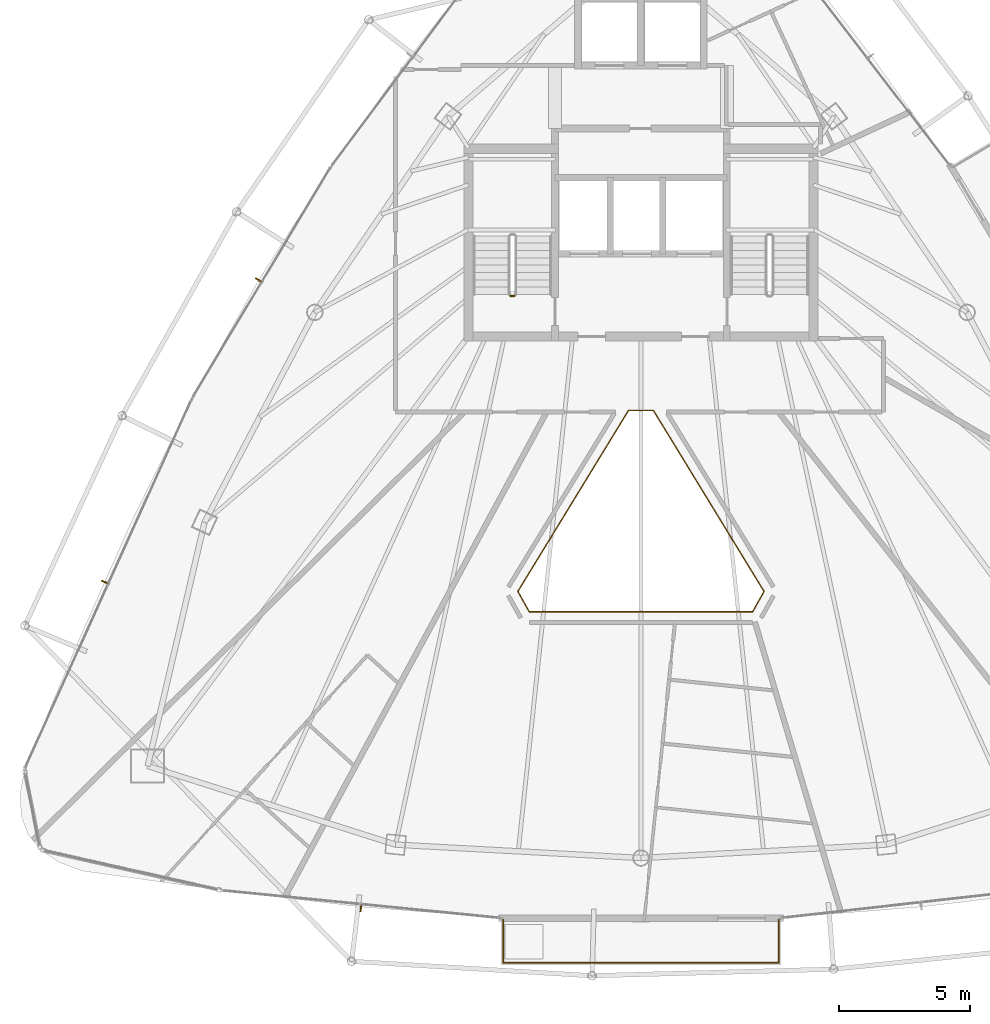
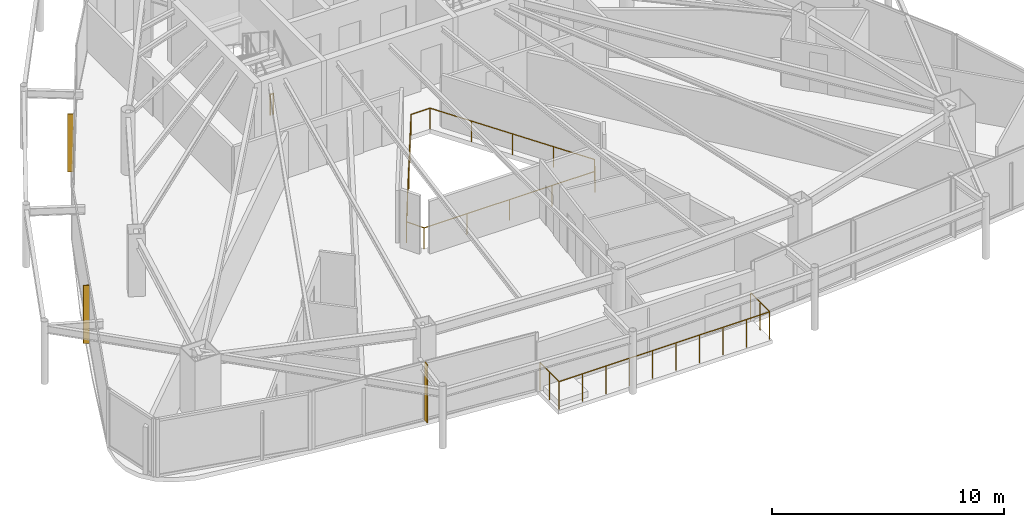
# One storey, part 31 of 33: 3 railings, 3 shading devices.
"""IFC4 building model written with IfcOpenShell, lengths in metres."""

from ifc_helpers import new_model, si_unit, direction, frame, origin, origin_2d, place, context, subcontext, project, spatial, rectangle, circle, extrude, material, layer, layer_set, type_object, element, save


model = new_model("IFC4")

# Units and contexts
model_context = context("Model", 3, precision=1e-05, world=origin(), true_north=direction((0.0, 1.0)))
body_context = subcontext(model_context, "Body", "Model", "MODEL_VIEW")
ifc_project = project(units=[si_unit("LENGTHUNIT", "METRE"), si_unit("AREAUNIT", "SQUARE_METRE"), si_unit("VOLUMEUNIT", "CUBIC_METRE"), si_unit("PLANEANGLEUNIT", "RADIAN"), si_unit("MASSUNIT", "GRAM", prefix="KILO")], contexts=[model_context])

# Site, building, storey
site_placement = place(None, origin())
site = spatial("IfcSite", under=ifc_project, at=site_placement, CompositionType="ELEMENT")
building_placement = place(site_placement, origin())
building = spatial("IfcBuilding", under=site, at=building_placement, Name="Orvanel Arch Residences", CompositionType="ELEMENT")
storey_placement = place(building_placement, frame((0.0, 0.0, 196.39990234375)))
storey = spatial("IfcBuildingStorey", under=building, at=storey_placement, Name="L55", CompositionType="ELEMENT", Elevation=196.39990234375)

# Shading devices
ifc_material_1 = material(Name="Bronze-anodised aluminium AA6063-T6", Category="aluminium")
ifc_layer = layer(ifc_material_1, 0.050048828125)
ifc_layer_set = layer_set([ifc_layer], Name="Bronze-anodised aluminium AA6063-T6")
shading_device_type = type_object("IfcShadingDeviceType", Name="FIN-BRZ-260", PredefinedType="USERDEFINED", material=ifc_layer_set)
for number, where, z_axis, x_axis, name in (
    (1, (18.4169921875, 28.8779296875, 0.0), (0.0, 0.0, 1.0), (-0.857167300702, 0.51503807491, 0.0), "L55 Anodised Bronze Mullion FIN 01"),
    (2, (12.55908203125, 17.363037109375, 0.0), (0.0, 0.0, 1.0), (-0.911403276635, 0.411514358605, 0.0), "L55 Anodised Bronze Mullion FIN 01"),
    (3, (22.326904296875, 4.927978515625, 0.0), (0.0, 0.0, 1.0), (-0.097582899759, -0.995227399982, 0.0), "L55 Anodised Bronze Mullion FIN 01"),
):
    element("IfcShadingDevice", number, at=place(storey_placement, frame(where, z_axis=z_axis, x_axis=x_axis)), inside=storey, type_object=shading_device_type, Name=name, ObjectType="FIN", PredefinedType="USERDEFINED", context=body_context, shape_type="SweptSolid", body=[
        extrude(rectangle(XDim=0.260009765625, YDim=0.050048828125, at=origin_2d()), origin(), (0.0, 0.0, 1.0), 3.06005859375),
    ])

# Railings
railing_type_1 = type_object("IfcRailingType", Name="RL-ATR-1120", PredefinedType="BALUSTRADE", material=ifc_material_1)
railing_1_placement = place(storey_placement, frame((33.47509765625, 23.89794921875, 0.0)))
element("IfcRailing", 4, at=railing_1_placement, inside=storey, type_object=railing_type_1, Name="L55 Atrium Void Protective Balustrade", PredefinedType="BALUSTRADE", context=body_context, shape_type="SweptSolid", body=[
    extrude(circle(Radius=0.02392578125, at=origin_2d()), frame((-0.00146484375, 0.0, 1.09619140625), z_axis=(-1.0, 0.0, 0.0), x_axis=(0.0, -1.0, 0.0)), (0.0, 0.0, 1.0), 0.947265625),
    extrude(circle(Radius=0.02392578125, at=origin_2d()), frame((-0.950927734375, -0.001220703125, 1.09619140625), z_axis=(-0.521558814425, -0.853215332197, 0.0), x_axis=(0.853215332197, -0.521558814425, 0.0)), (0.0, 0.0, 1.0), 8.074462890625),
    extrude(circle(Radius=0.02392578125, at=origin_2d()), frame((-5.162353515625, -6.89306640625, 1.09619140625), z_axis=(0.488036178219, -0.872823400665, 0.0), x_axis=(0.872823400665, 0.488036178219, 0.0)), (0.0, 0.0, 1.0), 0.888427734375),
    extrude(circle(Radius=0.02392578125, at=origin_2d()), frame((-4.7265625, -7.669921875, 1.09619140625), z_axis=(1.0, 0.0, 0.0), x_axis=(0.0, 1.0, 0.0)), (0.0, 0.0, 1.0), 8.5029296875),
    extrude(circle(Radius=0.02392578125, at=origin_2d()), frame((3.778564453125, -7.668701171875, 1.09619140625), z_axis=(0.488036178219, 0.872823400665, 0.0), x_axis=(-0.872823400665, 0.488036178219, 0.0)), (0.0, 0.0, 1.0), 0.888427734375),
    extrude(circle(Radius=0.02392578125, at=origin_2d()), frame((4.212158203125, -6.890625, 1.09619140625), z_axis=(-0.521558814425, 0.853215332197, 0.0), x_axis=(-0.853215332197, -0.521558814425, 0.0)), (0.0, 0.0, 1.0), 8.074462890625),
    extrude(circle(Radius=0.02099609375, at=origin_2d()), origin(), (0.0, 0.0, 1.0), 1.070068359375),
    extrude(circle(Radius=0.02099609375, at=origin_2d()), frame((-0.9501953125, 0.0, 0.0)), (0.0, 0.0, 1.0), 1.070068359375),
    extrude(circle(Radius=0.02099609375, at=origin_2d()), frame((-2.00341796875, -1.722900390625, 0.0)), (0.0, 0.0, 1.0), 1.070068359375),
    extrude(circle(Radius=0.02099609375, at=origin_2d()), frame((-3.056640625, -3.44580078125, 0.0)), (0.0, 0.0, 1.0), 1.070068359375),
    extrude(circle(Radius=0.02099609375, at=origin_2d()), frame((-4.10986328125, -5.1689453125, 0.0)), (0.0, 0.0, 1.0), 1.070068359375),
    extrude(circle(Radius=0.02099609375, at=origin_2d()), frame((-5.1630859375, -6.891845703125, 0.0)), (0.0, 0.0, 1.0), 1.070068359375),
    extrude(circle(Radius=0.02099609375, at=origin_2d()), frame((-4.72802734375, -7.669921875, 0.0)), (0.0, 0.0, 1.0), 1.070068359375),
    extrude(circle(Radius=0.02099609375, at=origin_2d()), frame((-2.6015625, -7.669921875, 0.0)), (0.0, 0.0, 1.0), 1.070068359375),
    extrude(circle(Radius=0.02099609375, at=origin_2d()), frame((-0.47509765625, -7.669921875, 0.0)), (0.0, 0.0, 1.0), 1.070068359375),
    extrude(circle(Radius=0.02099609375, at=origin_2d()), frame((1.6513671875, -7.669921875, 0.0)), (0.0, 0.0, 1.0), 1.070068359375),
    extrude(circle(Radius=0.02099609375, at=origin_2d()), frame((3.77783203125, -7.669921875, 0.0)), (0.0, 0.0, 1.0), 1.070068359375),
    extrude(circle(Radius=0.02099609375, at=origin_2d()), frame((4.212890625, -6.891845703125, 0.0)), (0.0, 0.0, 1.0), 1.070068359375),
    extrude(circle(Radius=0.02099609375, at=origin_2d()), frame((3.15966796875, -5.1689453125, 0.0)), (0.0, 0.0, 1.0), 1.070068359375),
    extrude(circle(Radius=0.02099609375, at=origin_2d()), frame((2.1064453125, -3.44580078125, 0.0)), (0.0, 0.0, 1.0), 1.070068359375),
    extrude(circle(Radius=0.02099609375, at=origin_2d()), frame((1.05322265625, -1.722900390625, 0.0)), (0.0, 0.0, 1.0), 1.070068359375),
])
railing_type_2 = type_object("IfcRailingType", Name="RL-BAL-1480", PredefinedType="BALUSTRADE", material=ifc_material_1)
railing_2_placement = place(storey_placement, frame((27.7509765625, 4.4951171875, 0.0)))
element("IfcRailing", 5, at=railing_2_placement, inside=storey, type_object=railing_type_2, Name="L55 Balcony Perimeter Guardrail Face 2", PredefinedType="BALUSTRADE", context=body_context, shape_type="SweptSolid", body=[
    extrude(circle(Radius=0.02392578125, at=origin_2d()), frame((0.0, -0.00146484375, 1.4560546875), z_axis=(0.0, -1.0, 0.0), x_axis=(1.0, 0.0, 0.0)), (0.0, 0.0, 1.0), 1.63720703125),
    extrude(circle(Radius=0.02392578125, at=origin_2d()), frame((0.00146484375, -1.64013671875, 1.4560546875), z_axis=(1.0, 0.0, 0.0), x_axis=(0.0, 1.0, 0.0)), (0.0, 0.0, 1.0), 10.4951171875),
    extrude(circle(Radius=0.02392578125, at=origin_2d()), frame((10.498046875, -1.638671875, 1.4560546875), z_axis=(0.0, 1.0, 0.0), x_axis=(-1.0, 0.0, 0.0)), (0.0, 0.0, 1.0), 1.63720703125),
    extrude(circle(Radius=0.02099609375, at=origin_2d()), origin(), (0.0, 0.0, 1.0), 1.429931640625),
    extrude(circle(Radius=0.02099609375, at=origin_2d()), frame((0.0, -0.820068359375, 0.0)), (0.0, 0.0, 1.0), 1.429931640625),
    extrude(circle(Radius=0.02099609375, at=origin_2d()), frame((0.0, -1.64013671875, 0.0)), (0.0, 0.0, 1.0), 1.429931640625),
    extrude(circle(Radius=0.02099609375, at=origin_2d()), frame((1.16650390625, -1.64013671875, 0.0)), (0.0, 0.0, 1.0), 1.429931640625),
    extrude(circle(Radius=0.02099609375, at=origin_2d()), frame((2.3330078125, -1.64013671875, 0.0)), (0.0, 0.0, 1.0), 1.429931640625),
    extrude(circle(Radius=0.02099609375, at=origin_2d()), frame((3.499267578125, -1.64013671875, 0.0)), (0.0, 0.0, 1.0), 1.429931640625),
    extrude(circle(Radius=0.02099609375, at=origin_2d()), frame((4.665771484375, -1.64013671875, 0.0)), (0.0, 0.0, 1.0), 1.429931640625),
    extrude(circle(Radius=0.02099609375, at=origin_2d()), frame((5.832275390625, -1.64013671875, 0.0)), (0.0, 0.0, 1.0), 1.429931640625),
    extrude(circle(Radius=0.02099609375, at=origin_2d()), frame((6.998779296875, -1.64013671875, 0.0)), (0.0, 0.0, 1.0), 1.429931640625),
    extrude(circle(Radius=0.02099609375, at=origin_2d()), frame((8.1650390625, -1.64013671875, 0.0)), (0.0, 0.0, 1.0), 1.429931640625),
    extrude(circle(Radius=0.02099609375, at=origin_2d()), frame((9.33154296875, -1.64013671875, 0.0)), (0.0, 0.0, 1.0), 1.429931640625),
    extrude(circle(Radius=0.02099609375, at=origin_2d()), frame((10.498046875, -1.64013671875, 0.0)), (0.0, 0.0, 1.0), 1.429931640625),
    extrude(circle(Radius=0.02099609375, at=origin_2d()), frame((10.498046875, -0.820068359375, 0.0)), (0.0, 0.0, 1.0), 1.429931640625),
    extrude(circle(Radius=0.02099609375, at=origin_2d()), frame((10.498046875, 0.0, 0.0)), (0.0, 0.0, 1.0), 1.429931640625),
])
ifc_material_2 = material(Name="Structural steel AS/NZS 1163 C350L0 (Grade 350)", Category="steel")
railing_type_3 = type_object("IfcRailingType", Name="RL-STAIR-GUARD", PredefinedType="GUARDRAIL", material=ifc_material_2)
railing_3_placement = place(storey_placement, frame((28.179931640625, 28.27001953125, 0.0)))
element("IfcRailing", 6, at=railing_3_placement, inside=storey, type_object=railing_type_3, Name="L55 ST-1 stair guard 4", PredefinedType="GUARDRAIL", context=body_context, shape_type="SweptSolid", body=[
    extrude(circle(Radius=0.02392578125, at=origin_2d()), frame((-0.00146484375, 0.0, 1.076171875), z_axis=(-1.0, 0.0, 0.0), x_axis=(0.0, -1.0, 0.0)), (0.0, 0.0, 1.0), 0.156982421875),
    extrude(circle(Radius=0.02099609375, at=origin_2d()), origin(), (0.0, 0.0, 1.0), 1.050048828125),
    extrude(circle(Radius=0.02099609375, at=origin_2d()), frame((-0.159912109375, 0.0, 0.0)), (0.0, 0.0, 1.0), 1.050048828125),
])

save(model, "model.ifc")
